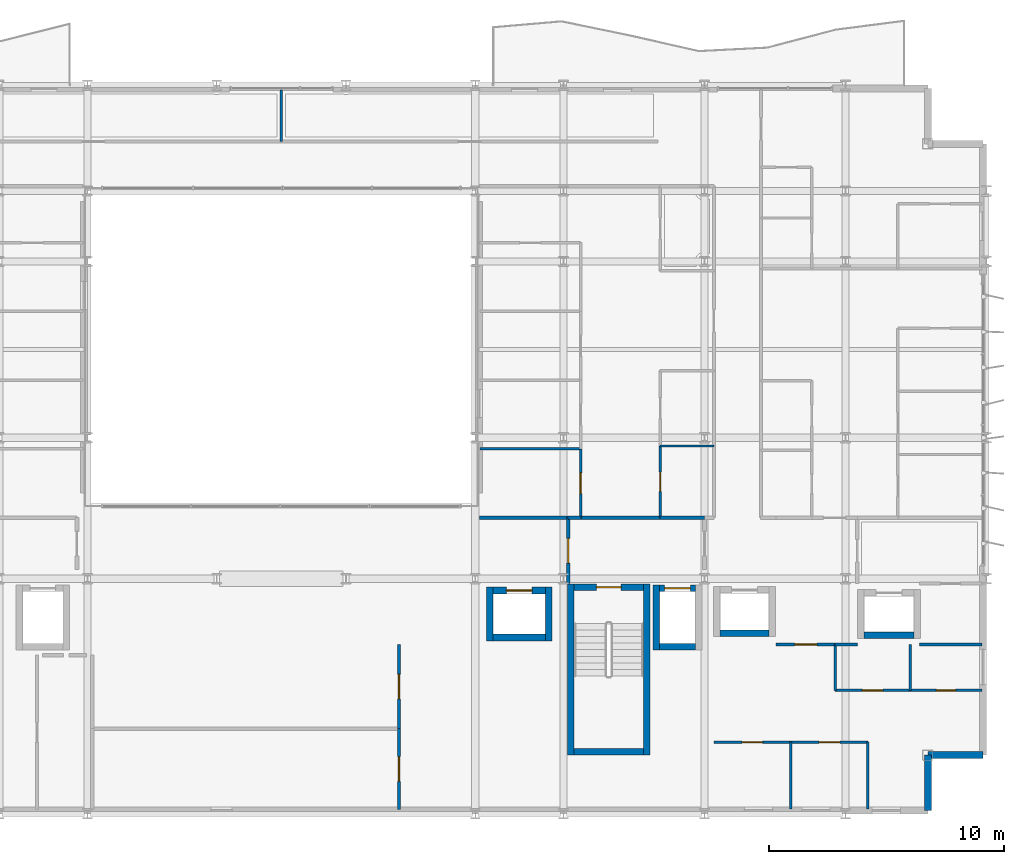
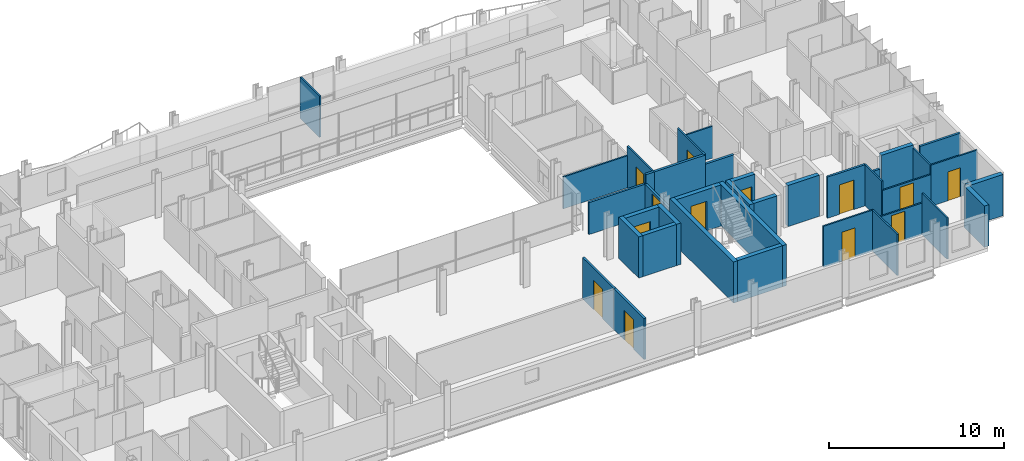
# One storey, part 30 of 38: 38 walls, 13 doors, 13 openings.
"""IFC4 building model written with IfcOpenShell, lengths in metres."""

from ifc_helpers import new_model, si_unit, direction, frame, frame_2d, origin, place, context, subcontext, project, spatial, rectangle, extrude, material, layer, layer_set, type_object, element, fill, save


model = new_model("IFC4")

# Units and contexts
model_context = context("Model", 3, precision=1e-05, world=origin(), true_north=direction((0.0, 1.0)))
body_context = subcontext(model_context, "Body", "Model", "MODEL_VIEW")
ifc_project = project(units=[si_unit("LENGTHUNIT", "METRE"), si_unit("AREAUNIT", "SQUARE_METRE"), si_unit("VOLUMEUNIT", "CUBIC_METRE"), si_unit("PLANEANGLEUNIT", "RADIAN"), si_unit("MASSUNIT", "GRAM", prefix="KILO")], contexts=[model_context])

# Site, building, storey
site_placement = place(None, origin())
site = spatial("IfcSite", under=ifc_project, at=site_placement, CompositionType="ELEMENT")
building_placement = place(site_placement, origin())
building = spatial("IfcBuilding", under=site, at=building_placement, Name="Brevholm Reach", CompositionType="ELEMENT")
storey_placement = place(building_placement, frame((0.0, 0.0, 71.39990234375)))
storey = spatial("IfcBuildingStorey", under=building, at=storey_placement, Name="L20", CompositionType="ELEMENT", Elevation=71.39990234375)

# Walls
ifc_material_1 = material(Name="Concrete C50/60", Category="concrete")
ifc_layer_1 = layer(ifc_material_1, 0.280029296875)
ifc_layer_set_1 = layer_set([ifc_layer_1], Name="Concrete C50/60")
wall_type_1 = type_object("IfcWallType", Name="WAL-COR-280", PredefinedType="SHEAR", material=ifc_layer_set_1)
for number, where, z_axis, x_axis, name in (
    (1, (42.31005859375, 2.5, 0.0), (0.0, 0.0, 1.0), (0.0, 1.0, 0.0), "L20 Escape Stair ST-2 Core Wall W"),
    (2, (45.5400390625, 2.5, 0.0), (0.0, 0.0, 1.0), (0.0, 1.0, 0.0), "L20 Escape Stair ST-2 Core Wall E"),
):
    element("IfcWall", number, at=place(storey_placement, frame(where, z_axis=z_axis, x_axis=x_axis)), inside=storey, type_object=wall_type_1, Name=name, PredefinedType="SHEAR", context=body_context, shape_type="SweptSolid", body=[
        extrude(rectangle(XDim=7.280029296875, YDim=0.280029296875, at=frame_2d((3.64013671875, 0.0))), origin(), (0.0, 0.0, 1.0), 2.8701171875),
    ])
wall_1_placement = place(storey_placement, frame((42.449951171875, 2.639892578125, 0.0), z_axis=(0.0, 0.0, 1.0), x_axis=(1.0, 0.0, 0.0)))
element("IfcWall", 3, at=wall_1_placement, inside=storey, type_object=wall_type_1, Name="L20 Escape Stair ST-2 Core Wall S", PredefinedType="SHEAR", context=body_context, shape_type="SweptSolid", body=[
    extrude(rectangle(XDim=2.949951171875, YDim=0.280029296875, at=frame_2d((1.47509765625, 0.0))), origin(), (0.0, 0.0, 1.0), 2.8701171875),
])

# Wall, opening, door
wall_2_placement = place(storey_placement, frame((45.39990234375, 9.639892578125, 0.0), z_axis=(0.0, 0.0, 1.0), x_axis=(-1.0, 0.0, 0.0)))
wall_2 = element("IfcWall", 4, at=wall_2_placement, inside=storey, type_object=wall_type_1, Name="L20 Escape Stair ST-2 Core Wall N", PredefinedType="SHEAR", context=body_context, shape_type="SweptSolid", body=[
    extrude(rectangle(XDim=2.949951171875, YDim=0.280029296875, at=frame_2d((1.47509765625, 0.0))), origin(), (0.0, 0.0, 1.0), 2.8701171875),
])
opening_1_placement = place(wall_2_placement, frame((0.949951171875, 0.0, 0.0)))
opening_1 = element("IfcOpeningElement", 5, at=opening_1_placement, cuts=wall_2, Name="Opening SD-ST-2", PredefinedType="OPENING", context=body_context, shape_type="SweptSolid", body=[
    extrude(rectangle(XDim=1.050048828125, YDim=2.06005859375, at=frame_2d((0.52490234375, 1.030029296875))), frame((0.0, 0.14990234375, 0.0), z_axis=(0.0, -1.0, 0.0), x_axis=(1.0, 0.0, 0.0)), (0.0, 0.0, 1.0), 0.300048828125),
])
ifc_material_2 = material(Name="Hardwood-Lipped Steel-Core Fire and Smoke Door", Category="steel")
door_type_1 = type_object("IfcDoorType", Name="DOR-INT-FD60S", OperationType="NOTDEFINED", PredefinedType="DOOR", material=ifc_material_2)
door_1_placement = place(opening_1_placement, origin())
door_1 = element("IfcDoor", 6, at=door_1_placement, inside=storey, type_object=door_type_1, Name="L20 Protected Stair ST-2 Lobby Door", OperationType="SINGLE_SWING_LEFT", OverallHeight=2.06005859375, OverallWidth=1.050048828125, PredefinedType="DOOR", context=body_context, shape_type="SweptSolid", body=[
    extrude(rectangle(XDim=1.050048828125, YDim=2.06005859375, at=frame_2d((0.52490234375, 1.030029296875))), frame((0.0, 0.02490234375, 0.0), z_axis=(0.0, -1.0, 0.0), x_axis=(1.0, 0.0, 0.0)), (0.0, 0.0, 1.0), 0.050048828125),
])
fill(opening_1, door_1)

# Walls
wall_3_placement = place(storey_placement, frame((45.949951171875, 6.9599609375, 0.0), z_axis=(0.0, 0.0, 1.0), x_axis=(0.0, 1.0, 0.0)))
element("IfcWall", 7, at=wall_3_placement, inside=storey, type_object=wall_type_1, Name="L20 Lift FFL-2 Shaft Wall W", PredefinedType="SHEAR", context=body_context, shape_type="SweptSolid", body=[
    extrude(rectangle(XDim=2.780029296875, YDim=0.280029296875, at=frame_2d((1.39013671875, 0.0))), origin(), (0.0, 0.0, 1.0), 2.8701171875),
])
wall_4_placement = place(storey_placement, frame((46.090087890625, 7.10009765625, 0.0), z_axis=(0.0, 0.0, 1.0), x_axis=(1.0, 0.0, 0.0)))
element("IfcWall", 8, at=wall_4_placement, inside=storey, type_object=wall_type_1, Name="L20 Lift FFL-2 Shaft Wall S", PredefinedType="SHEAR", context=body_context, shape_type="SweptSolid", body=[
    extrude(rectangle(XDim=1.52001953125, YDim=0.280029296875, at=frame_2d((0.760009765625, 0.0))), origin(), (0.0, 0.0, 1.0), 2.8701171875),
])

# Wall, opening, door
wall_5_placement = place(storey_placement, frame((46.090087890625, 9.60009765625, 0.0), z_axis=(0.0, 0.0, 1.0), x_axis=(1.0, 0.0, 0.0)))
wall_5 = element("IfcWall", 9, at=wall_5_placement, inside=storey, type_object=wall_type_1, Name="L20 Lift FFL-2 Shaft Wall N", PredefinedType="SHEAR", context=body_context, shape_type="SweptSolid", body=[
    extrude(rectangle(XDim=1.52001953125, YDim=0.280029296875, at=frame_2d((0.760009765625, 0.0))), origin(), (0.0, 0.0, 1.0), 2.8701171875),
])
opening_2_placement = place(wall_5_placement, frame((0.2099609375, 0.0, 0.0)))
opening_2 = element("IfcOpeningElement", 10, at=opening_2_placement, cuts=wall_5, Name="Opening LD-FFL-2", PredefinedType="OPENING", context=body_context, shape_type="SweptSolid", body=[
    extrude(rectangle(XDim=1.10009765625, YDim=2.06005859375, at=frame_2d((0.550048828125, 1.030029296875))), frame((0.0, 0.14990234375, 0.0), z_axis=(0.0, -1.0, 0.0), x_axis=(1.0, 0.0, 0.0)), (0.0, 0.0, 1.0), 0.300048828125),
])
ifc_material_3 = material(Name="Brushed Stainless Steel Fire-Rated Sliding Lift Door", Category="steel")
door_type_2 = type_object("IfcDoorType", Name="DOR-LFT-1100", OperationType="NOTDEFINED", PredefinedType="DOOR", material=ifc_material_3)
door_2_placement = place(opening_2_placement, origin())
door_2 = element("IfcDoor", 11, at=door_2_placement, inside=storey, type_object=door_type_2, Name="L20 Lift FFL-2 Sliding Landing Door", OperationType="SLIDING_TO_LEFT", OverallHeight=2.06005859375, OverallWidth=1.10009765625, PredefinedType="DOOR", context=body_context, shape_type="SweptSolid", body=[
    extrude(rectangle(XDim=1.10009765625, YDim=2.06005859375, at=frame_2d((0.550048828125, 1.030029296875))), frame((0.0, 0.02490234375, 0.0), z_axis=(0.0, -1.0, 0.0), x_axis=(1.0, 0.0, 0.0)), (0.0, 0.0, 1.0), 0.050048828125),
])
fill(opening_2, door_2)

# Walls
wall_6_placement = place(storey_placement, frame((48.6650390625, 7.675048828125, 0.0), z_axis=(0.0, 0.0, 1.0), x_axis=(1.0, 0.0, 0.0)))
element("IfcWall", 12, at=wall_6_placement, inside=storey, type_object=wall_type_1, Name="L20 Lift PL-L1 Shaft Wall S", PredefinedType="SHEAR", context=body_context, shape_type="SweptSolid", body=[
    extrude(rectangle(XDim=2.070068359375, YDim=0.280029296875, at=frame_2d((1.03515625, 0.0))), origin(), (0.0, 0.0, 1.0), 2.8701171875),
])
wall_7_placement = place(storey_placement, frame((54.7900390625, 7.60009765625, 0.0), z_axis=(0.0, 0.0, 1.0), x_axis=(1.0, 0.0, 0.0)))
element("IfcWall", 13, at=wall_7_placement, inside=storey, type_object=wall_type_1, Name="L20 Lift PL-L2 Shaft Wall S", PredefinedType="SHEAR", context=body_context, shape_type="SweptSolid", body=[
    extrude(rectangle(XDim=2.119873046875, YDim=0.280029296875, at=frame_2d((1.06005859375, 0.0))), origin(), (0.0, 0.0, 1.0), 2.8701171875),
])
for number, where, z_axis, x_axis, name in (
    (14, (38.8701171875, 7.360107421875, 0.0), (0.0, 0.0, 1.0), (0.0, 1.0, 0.0), "L20 Lift PL-S1 Shaft Wall W"),
    (15, (41.3701171875, 7.360107421875, 0.0), (0.0, 0.0, 1.0), (0.0, 1.0, 0.0), "L20 Lift PL-S1 Shaft Wall E"),
):
    element("IfcWall", number, at=place(storey_placement, frame(where, z_axis=z_axis, x_axis=x_axis)), inside=storey, type_object=wall_type_1, Name=name, PredefinedType="SHEAR", context=body_context, shape_type="SweptSolid", body=[
        extrude(rectangle(XDim=2.27978515625, YDim=0.280029296875, at=frame_2d((1.139892578125, 0.0))), origin(), (0.0, 0.0, 1.0), 2.8701171875),
    ])
wall_8_placement = place(storey_placement, frame((39.010009765625, 7.5, 0.0), z_axis=(0.0, 0.0, 1.0), x_axis=(1.0, 0.0, 0.0)))
element("IfcWall", 16, at=wall_8_placement, inside=storey, type_object=wall_type_1, Name="L20 Lift PL-S1 Shaft Wall S", PredefinedType="SHEAR", context=body_context, shape_type="SweptSolid", body=[
    extrude(rectangle(XDim=2.219970703125, YDim=0.280029296875, at=frame_2d((1.10986328125, 0.0))), origin(), (0.0, 0.0, 1.0), 2.8701171875),
])

# Wall, opening, door
wall_9_placement = place(storey_placement, frame((39.010009765625, 9.5, 0.0), z_axis=(0.0, 0.0, 1.0), x_axis=(1.0, 0.0, 0.0)))
wall_9 = element("IfcWall", 17, at=wall_9_placement, inside=storey, type_object=wall_type_1, Name="L20 Lift PL-S1 Shaft Wall N", PredefinedType="SHEAR", context=body_context, shape_type="SweptSolid", body=[
    extrude(rectangle(XDim=2.219970703125, YDim=0.280029296875, at=frame_2d((1.10986328125, 0.0))), origin(), (0.0, 0.0, 1.0), 2.8701171875),
])
opening_3_placement = place(wall_9_placement, frame((0.56005859375, 0.0, 0.0)))
opening_3 = element("IfcOpeningElement", 18, at=opening_3_placement, cuts=wall_9, Name="Opening LD-PL-S1", PredefinedType="OPENING", context=body_context, shape_type="SweptSolid", body=[
    extrude(rectangle(XDim=1.10009765625, YDim=2.06005859375, at=frame_2d((0.550048828125, 1.030029296875))), frame((0.0, 0.14990234375, 0.0), z_axis=(0.0, -1.0, 0.0), x_axis=(1.0, 0.0, 0.0)), (0.0, 0.0, 1.0), 0.300048828125),
])
door_3_placement = place(opening_3_placement, origin())
door_3 = element("IfcDoor", 19, at=door_3_placement, inside=storey, type_object=door_type_2, Name="L20 Lift PL-S1 Sliding Landing Door", OperationType="SLIDING_TO_RIGHT", OverallHeight=2.06005859375, OverallWidth=1.10009765625, PredefinedType="DOOR", context=body_context, shape_type="SweptSolid", body=[
    extrude(rectangle(XDim=1.10009765625, YDim=2.06005859375, at=frame_2d((0.550048828125, 1.030029296875))), frame((0.0, 0.02490234375, 0.0), z_axis=(0.0, -1.0, 0.0), x_axis=(1.0, 0.0, 0.0)), (0.0, 0.0, 1.0), 0.050048828125),
])
fill(opening_3, door_3)

# Walls
ifc_material_4 = material(Name="Concrete C40/50", Category="concrete")
ifc_layer_2 = layer(ifc_material_4, 0.300048828125)
ifc_layer_set_2 = layer_set([ifc_layer_2], Name="Concrete C40/50")
wall_type_2 = type_object("IfcWallType", Name="WAL-EXT-300", PredefinedType="STANDARD", material=ifc_layer_set_2)
for number, where, z_axis, x_axis, name in (
    (20, (57.5, 0.14990234375, 0.0), (0.0, 0.0, 1.0), (0.0, 1.0, 0.0), "L20 Facade Wall WAL-L20-CSE1"),
    (21, (57.5, 2.5, 0.0), (0.0, 0.0, 1.0), (1.0, 0.0, 0.0), "L20 Facade Wall WAL-L20-CSE2"),
):
    element("IfcWall", number, at=place(storey_placement, frame(where, z_axis=z_axis, x_axis=x_axis)), inside=storey, type_object=wall_type_2, Name=name, PredefinedType="STANDARD", context=body_context, shape_type="SweptSolid", body=[
        extrude(rectangle(XDim=2.35009765625, YDim=0.300048828125, at=frame_2d((1.175048828125, 0.0))), origin(), (0.0, 0.0, 1.0), 2.8701171875),
    ])
ifc_material_5 = material(Name="Moisture-Resistant Acoustic Gypsum Stud Partition 100 mm", Category="gypsum")
ifc_layer_3 = layer(ifc_material_5, 0.10009765625)
ifc_layer_set_3 = layer_set([ifc_layer_3], Name="Moisture-Resistant Acoustic Gypsum Stud Partition 100 mm")
wall_type_3 = type_object("IfcWallType", Name="WAL-PRT-100", PredefinedType="PARTITIONING", material=ifc_layer_set_3)
wall_10_placement = place(storey_placement, frame((56.75, 5.25, 0.0), z_axis=(0.0, 0.0, 1.0), x_axis=(0.0, 1.0, 0.0)))
element("IfcWall", 22, at=wall_10_placement, inside=storey, type_object=wall_type_3, Name="L20 Internal Partition 079", PredefinedType="PARTITIONING", context=body_context, shape_type="SweptSolid", body=[
    extrude(rectangle(XDim=1.949951171875, YDim=0.10009765625, at=frame_2d((0.97509765625, 0.0))), origin(), (0.0, 0.0, 1.0), 2.8701171875),
])

# Wall, opening, door
wall_11_placement = place(storey_placement, frame((56.75, 5.25, 0.0), z_axis=(0.0, 0.0, 1.0), x_axis=(1.0, 0.0, 0.0)))
wall_11 = element("IfcWall", 23, at=wall_11_placement, inside=storey, type_object=wall_type_3, Name="L20 Internal Partition 080", PredefinedType="PARTITIONING", context=body_context, shape_type="SweptSolid", body=[
    extrude(rectangle(XDim=3.050048828125, YDim=0.10009765625, at=frame_2d((1.52490234375, 0.0))), origin(), (0.0, 0.0, 1.0), 2.8701171875),
])
opening_4_placement = place(wall_11_placement, frame((1.114990234375, 0.0, 0.0)))
opening_4 = element("IfcOpeningElement", 24, at=opening_4_placement, cuts=wall_11, Name="Opening ID-03", PredefinedType="OPENING", context=body_context, shape_type="SweptSolid", body=[
    extrude(rectangle(XDim=0.820068359375, YDim=2.02001953125, at=frame_2d((0.41015625, 1.010009765625))), frame((0.0, 0.06005859375, 0.0), z_axis=(0.0, -1.0, 0.0), x_axis=(1.0, 0.0, 0.0)), (0.0, 0.0, 1.0), 0.1201171875),
])
ifc_material_6 = material(Name="Moisture-Resistant Painted Timber Internal Bathroom Door", Category="wood")
door_type_3 = type_object("IfcDoorType", Name="DOR-BATH-820", OperationType="NOTDEFINED", PredefinedType="DOOR", material=ifc_material_6)
door_4_placement = place(opening_4_placement, origin())
door_4 = element("IfcDoor", 25, at=door_4_placement, inside=storey, type_object=door_type_3, Name="L20 Internal Door 026", OperationType="SINGLE_SWING_LEFT", OverallHeight=2.02001953125, OverallWidth=0.820068359375, PredefinedType="DOOR", context=body_context, shape_type="SweptSolid", body=[
    extrude(rectangle(XDim=0.820068359375, YDim=2.02001953125, at=frame_2d((0.41015625, 1.010009765625))), frame((0.0, 0.02490234375, 0.0), z_axis=(0.0, -1.0, 0.0), x_axis=(1.0, 0.0, 0.0)), (0.0, 0.0, 1.0), 0.050048828125),
])
fill(opening_4, door_4)

wall_12_placement = place(storey_placement, frame((53.55810546875, 5.25, 0.0), z_axis=(0.0, 0.0, 1.0), x_axis=(1.0, 0.0, 0.0)))
wall_12 = element("IfcWall", 26, at=wall_12_placement, inside=storey, type_object=wall_type_3, Name="L20 Internal Partition 081", PredefinedType="PARTITIONING", context=body_context, shape_type="SweptSolid", body=[
    extrude(rectangle(XDim=3.18798828125, YDim=0.10009765625, at=frame_2d((1.593994140625, 0.0))), origin(), (0.0, 0.0, 1.0), 2.224853515625),
])
opening_5_placement = place(wall_12_placement, frame((1.154052734375, 0.0, 0.0)))
opening_5 = element("IfcOpeningElement", 27, at=opening_5_placement, cuts=wall_12, Name="Opening ID-01", PredefinedType="OPENING", context=body_context, shape_type="SweptSolid", body=[
    extrude(rectangle(XDim=0.8798828125, YDim=2.0400390625, at=frame_2d((0.43994140625, 1.02001953125))), frame((0.0, 0.06005859375, 0.0), z_axis=(0.0, -1.0, 0.0), x_axis=(1.0, 0.0, 0.0)), (0.0, 0.0, 1.0), 0.1201171875),
])
ifc_material_7 = material(Name="Lacquered Ash Solid-Core Acoustic Internal Door", Category="timber")
door_type_4 = type_object("IfcDoorType", Name="DOR-INT-880", OperationType="NOTDEFINED", PredefinedType="DOOR", material=ifc_material_7)
door_5_placement = place(opening_5_placement, origin())
door_5 = element("IfcDoor", 28, at=door_5_placement, inside=storey, type_object=door_type_4, Name="L20 Internal Door 027", OperationType="SINGLE_SWING_RIGHT", OverallHeight=2.0400390625, OverallWidth=0.8798828125, PredefinedType="DOOR", context=body_context, shape_type="SweptSolid", body=[
    extrude(rectangle(XDim=0.8798828125, YDim=2.0400390625, at=frame_2d((0.43994140625, 1.02001953125))), frame((0.0, 0.02490234375, 0.0), z_axis=(0.0, -1.0, 0.0), x_axis=(1.0, 0.0, 0.0)), (0.0, 0.0, 1.0), 0.050048828125),
])
fill(opening_5, door_5)

# Walls
wall_13_placement = place(storey_placement, frame((53.55810546875, 5.25, 0.0), z_axis=(0.0, 0.0, 1.0), x_axis=(0.0, 1.0, 0.0)))
element("IfcWall", 29, at=wall_13_placement, inside=storey, type_object=wall_type_3, Name="L20 Internal Partition 082", PredefinedType="PARTITIONING", context=body_context, shape_type="SweptSolid", body=[
    extrude(rectangle(XDim=1.946044921875, YDim=0.10009765625, at=frame_2d((0.97314453125, 0.0))), origin(), (0.0, 0.0, 1.0), 2.8701171875),
])
wall_14_placement = place(storey_placement, frame((51.675048828125, 0.199951171875, 0.0), z_axis=(0.0, 0.0, 1.0), x_axis=(0.0, 1.0, 0.0)))
element("IfcWall", 30, at=wall_14_placement, inside=storey, type_object=wall_type_3, Name="L20 Internal Partition 083", PredefinedType="PARTITIONING", context=body_context, shape_type="SweptSolid", body=[
    extrude(rectangle(XDim=2.85009765625, YDim=0.10009765625, at=frame_2d((1.425048828125, 0.0))), origin(), (0.0, 0.0, 1.0), 2.8701171875),
])

# Wall, opening, door
wall_15_placement = place(storey_placement, frame((48.39990234375, 3.050048828125, 0.0), z_axis=(0.0, 0.0, 1.0), x_axis=(1.0, 0.0, 0.0)))
wall_15 = element("IfcWall", 31, at=wall_15_placement, inside=storey, type_object=wall_type_3, Name="L20 Internal Partition 084", PredefinedType="PARTITIONING", context=body_context, shape_type="SweptSolid", body=[
    extrude(rectangle(XDim=3.275146484375, YDim=0.10009765625, at=frame_2d((1.6376953125, 0.0))), origin(), (0.0, 0.0, 1.0), 2.8701171875),
])
opening_6_placement = place(wall_15_placement, frame((1.197509765625, 0.0, 0.0)))
opening_6 = element("IfcOpeningElement", 32, at=opening_6_placement, cuts=wall_15, Name="Opening ID-01", PredefinedType="OPENING", context=body_context, shape_type="SweptSolid", body=[
    extrude(rectangle(XDim=0.8798828125, YDim=2.0400390625, at=frame_2d((0.43994140625, 1.02001953125))), frame((0.0, 0.06005859375, 0.0), z_axis=(0.0, -1.0, 0.0), x_axis=(1.0, 0.0, 0.0)), (0.0, 0.0, 1.0), 0.1201171875),
])
door_6_placement = place(opening_6_placement, origin())
door_6 = element("IfcDoor", 33, at=door_6_placement, inside=storey, type_object=door_type_4, Name="L20 Internal Door 028", OperationType="SINGLE_SWING_LEFT", OverallHeight=2.0400390625, OverallWidth=0.8798828125, PredefinedType="DOOR", context=body_context, shape_type="SweptSolid", body=[
    extrude(rectangle(XDim=0.8798828125, YDim=2.0400390625, at=frame_2d((0.43994140625, 1.02001953125))), frame((0.0, 0.02490234375, 0.0), z_axis=(0.0, -1.0, 0.0), x_axis=(1.0, 0.0, 0.0)), (0.0, 0.0, 1.0), 0.050048828125),
])
fill(opening_6, door_6)

# Wall
wall_16_placement = place(storey_placement, frame((54.949951171875, 0.199951171875, 0.0), z_axis=(0.0, 0.0, 1.0), x_axis=(0.0, 1.0, 0.0)))
element("IfcWall", 34, at=wall_16_placement, inside=storey, type_object=wall_type_3, Name="L20 Internal Partition 085", PredefinedType="PARTITIONING", context=body_context, shape_type="SweptSolid", body=[
    extrude(rectangle(XDim=2.85009765625, YDim=0.10009765625, at=frame_2d((1.425048828125, 0.0))), origin(), (0.0, 0.0, 1.0), 2.8701171875),
])

# Wall, opening, door
wall_17_placement = place(storey_placement, frame((51.678955078125, 3.050048828125, 0.0), z_axis=(0.0, 0.0, 1.0), x_axis=(1.0, 0.0, 0.0)))
wall_17 = element("IfcWall", 35, at=wall_17_placement, inside=storey, type_object=wall_type_3, Name="L20 Internal Partition 086", PredefinedType="PARTITIONING", context=body_context, shape_type="SweptSolid", body=[
    extrude(rectangle(XDim=3.27099609375, YDim=0.10009765625, at=frame_2d((1.635498046875, 0.0))), origin(), (0.0, 0.0, 1.0), 2.224853515625),
])
opening_7_placement = place(wall_17_placement, frame((1.195556640625, 0.0, 0.0)))
opening_7 = element("IfcOpeningElement", 36, at=opening_7_placement, cuts=wall_17, Name="Opening ID-01", PredefinedType="OPENING", context=body_context, shape_type="SweptSolid", body=[
    extrude(rectangle(XDim=0.8798828125, YDim=2.0400390625, at=frame_2d((0.43994140625, 1.02001953125))), frame((0.0, 0.06005859375, 0.0), z_axis=(0.0, -1.0, 0.0), x_axis=(1.0, 0.0, 0.0)), (0.0, 0.0, 1.0), 0.1201171875),
])
door_7_placement = place(opening_7_placement, origin())
door_7 = element("IfcDoor", 37, at=door_7_placement, inside=storey, type_object=door_type_4, Name="L20 Internal Door 029", OperationType="SINGLE_SWING_RIGHT", OverallHeight=2.0400390625, OverallWidth=0.8798828125, PredefinedType="DOOR", context=body_context, shape_type="SweptSolid", body=[
    extrude(rectangle(XDim=0.8798828125, YDim=2.0400390625, at=frame_2d((0.43994140625, 1.02001953125))), frame((0.0, 0.02490234375, 0.0), z_axis=(0.0, -1.0, 0.0), x_axis=(1.0, 0.0, 0.0)), (0.0, 0.0, 1.0), 0.050048828125),
])
fill(opening_7, door_7)

# Wall
wall_18_placement = place(storey_placement, frame((46.112060546875, 15.64990234375, 0.0), z_axis=(0.0, 0.0, 1.0), x_axis=(1.0, 0.0, 0.0)))
element("IfcWall", 38, at=wall_18_placement, inside=storey, type_object=wall_type_3, Name="L20 Internal Partition 120", PredefinedType="PARTITIONING", context=body_context, shape_type="SweptSolid", body=[
    extrude(rectangle(XDim=2.283935546875, YDim=0.10009765625, at=frame_2d((1.14208984375, 0.0))), origin(), (0.0, 0.0, 1.0), 2.224853515625),
])

# Wall, opening, door
wall_19_placement = place(storey_placement, frame((46.112060546875, 12.60400390625, 0.0), z_axis=(0.0, 0.0, 1.0), x_axis=(0.0, 1.0, 0.0)))
wall_19 = element("IfcWall", 39, at=wall_19_placement, inside=storey, type_object=wall_type_3, Name="L20 Internal Partition 121", PredefinedType="PARTITIONING", context=body_context, shape_type="SweptSolid", body=[
    extrude(rectangle(XDim=3.0458984375, YDim=0.10009765625, at=frame_2d((1.52294921875, 0.0))), origin(), (0.0, 0.0, 1.0), 2.8701171875),
])
opening_8_placement = place(wall_19_placement, frame((1.113037109375, 0.0, 0.0)))
opening_8 = element("IfcOpeningElement", 40, at=opening_8_placement, cuts=wall_19, Name="Opening ID-03", PredefinedType="OPENING", context=body_context, shape_type="SweptSolid", body=[
    extrude(rectangle(XDim=0.820068359375, YDim=2.02001953125, at=frame_2d((0.41015625, 1.010009765625))), frame((0.0, 0.06005859375, 0.0), z_axis=(0.0, -1.0, 0.0), x_axis=(1.0, 0.0, 0.0)), (0.0, 0.0, 1.0), 0.1201171875),
])
door_8_placement = place(opening_8_placement, origin())
door_8 = element("IfcDoor", 41, at=door_8_placement, inside=storey, type_object=door_type_3, Name="L20 Internal Door 045", OperationType="SINGLE_SWING_RIGHT", OverallHeight=2.02001953125, OverallWidth=0.820068359375, PredefinedType="DOOR", context=body_context, shape_type="SweptSolid", body=[
    extrude(rectangle(XDim=0.820068359375, YDim=2.02001953125, at=frame_2d((0.41015625, 1.010009765625))), frame((0.0, 0.02490234375, 0.0), z_axis=(0.0, -1.0, 0.0), x_axis=(1.0, 0.0, 0.0)), (0.0, 0.0, 1.0), 0.050048828125),
])
fill(opening_8, door_8)

# Wall
wall_20_placement = place(storey_placement, frame((38.449951171875, 15.52490234375, 0.0), z_axis=(0.0, 0.0, 1.0), x_axis=(1.0, 0.0, 0.0)))
element("IfcWall", 42, at=wall_20_placement, inside=storey, type_object=wall_type_3, Name="L20 Internal Partition 126", PredefinedType="PARTITIONING", context=body_context, shape_type="SweptSolid", body=[
    extrude(rectangle(XDim=4.278076171875, YDim=0.10009765625, at=frame_2d((2.13916015625, 0.0))), origin(), (0.0, 0.0, 1.0), 2.224853515625),
])

# Wall, opening, door
wall_21_placement = place(storey_placement, frame((42.72802734375, 12.60400390625, 0.0), z_axis=(0.0, 0.0, 1.0), x_axis=(0.0, 1.0, 0.0)))
wall_21 = element("IfcWall", 43, at=wall_21_placement, inside=storey, type_object=wall_type_3, Name="L20 Internal Partition 127", PredefinedType="PARTITIONING", context=body_context, shape_type="SweptSolid", body=[
    extrude(rectangle(XDim=2.9208984375, YDim=0.10009765625, at=frame_2d((1.46044921875, 0.0))), origin(), (0.0, 0.0, 1.0), 2.8701171875),
])
opening_9_placement = place(wall_21_placement, frame((1.0205078125, 0.0, 0.0)))
opening_9 = element("IfcOpeningElement", 44, at=opening_9_placement, cuts=wall_21, Name="Opening ID-01", PredefinedType="OPENING", context=body_context, shape_type="SweptSolid", body=[
    extrude(rectangle(XDim=0.8798828125, YDim=2.0400390625, at=frame_2d((0.43994140625, 1.02001953125))), frame((0.0, 0.06005859375, 0.0), z_axis=(0.0, -1.0, 0.0), x_axis=(1.0, 0.0, 0.0)), (0.0, 0.0, 1.0), 0.1201171875),
])
door_9_placement = place(opening_9_placement, origin())
door_9 = element("IfcDoor", 45, at=door_9_placement, inside=storey, type_object=door_type_4, Name="L20 Internal Door 048", OperationType="SINGLE_SWING_LEFT", OverallHeight=2.0400390625, OverallWidth=0.8798828125, PredefinedType="DOOR", context=body_context, shape_type="SweptSolid", body=[
    extrude(rectangle(XDim=0.8798828125, YDim=2.0400390625, at=frame_2d((0.43994140625, 1.02001953125))), frame((0.0, 0.02490234375, 0.0), z_axis=(0.0, -1.0, 0.0), x_axis=(1.0, 0.0, 0.0)), (0.0, 0.0, 1.0), 0.050048828125),
])
fill(opening_9, door_9)

# Wall
wall_22_placement = place(storey_placement, frame((30.0, 28.60400390625, 0.0), z_axis=(0.0, 0.0, 1.0), x_axis=(0.0, 1.0, 0.0)))
element("IfcWall", 46, at=wall_22_placement, inside=storey, type_object=wall_type_3, Name="L20 Internal Partition 153", PredefinedType="PARTITIONING", context=body_context, shape_type="SweptSolid", body=[
    extrude(rectangle(XDim=2.196044921875, YDim=0.10009765625, at=frame_2d((1.09814453125, 0.0))), origin(), (0.0, 0.0, 1.0), 2.8701171875),
])

# Wall, opening, door
ifc_material_8 = material(Name="Twin-Stud Acoustic Fire-Rated Gypsum Partition 140 mm", Category="gypsum")
ifc_layer_4 = layer(ifc_material_8, 0.139892578125)
ifc_layer_set_4 = layer_set([ifc_layer_4], Name="Twin-Stud Acoustic Fire-Rated Gypsum Partition 140 mm")
wall_type_4 = type_object("IfcWallType", Name="WAL-PRT-140", PredefinedType="PARTITIONING", material=ifc_layer_set_4)
wall_23_placement = place(storey_placement, frame((35.0, 0.179931640625, 0.0), z_axis=(0.0, 0.0, 1.0), x_axis=(0.0, 1.0, 0.0)))
wall_23 = element("IfcWall", 47, at=wall_23_placement, inside=storey, type_object=wall_type_4, Name="L20 Internal Partition 001", PredefinedType="PARTITIONING", context=body_context, shape_type="SweptSolid", body=[
    extrude(rectangle(XDim=3.451416015625, YDim=0.139892578125, at=frame_2d((1.7255859375, 0.0))), origin(), (0.0, 0.0, 1.0), 2.8701171875),
])
opening_10_placement = place(wall_23_placement, frame((1.20068359375, 0.0, 0.0)))
opening_10 = element("IfcOpeningElement", 48, at=opening_10_placement, cuts=wall_23, Name="Opening FD-01", PredefinedType="OPENING", context=body_context, shape_type="SweptSolid", body=[
    extrude(rectangle(XDim=1.050048828125, YDim=2.06005859375, at=frame_2d((0.52490234375, 1.030029296875))), frame((0.0, 0.079833984375, 0.0), z_axis=(0.0, -1.0, 0.0), x_axis=(1.0, 0.0, 0.0)), (0.0, 0.0, 1.0), 0.159912109375),
])
door_10_placement = place(opening_10_placement, origin())
door_10 = element("IfcDoor", 49, at=door_10_placement, inside=storey, type_object=door_type_1, Name="L20 Internal Door 001", OperationType="SINGLE_SWING_RIGHT", OverallHeight=2.06005859375, OverallWidth=1.050048828125, PredefinedType="DOOR", context=body_context, shape_type="SweptSolid", body=[
    extrude(rectangle(XDim=1.050048828125, YDim=2.06005859375, at=frame_2d((0.52490234375, 1.030029296875))), frame((0.0, 0.02490234375, 0.0), z_axis=(0.0, -1.0, 0.0), x_axis=(1.0, 0.0, 0.0)), (0.0, 0.0, 1.0), 0.050048828125),
])
fill(opening_10, door_10)

wall_24_placement = place(storey_placement, frame((35.0, 3.61279296875, 0.0), z_axis=(0.0, 0.0, 1.0), x_axis=(0.0, 1.0, 0.0)))
wall_24 = element("IfcWall", 50, at=wall_24_placement, inside=storey, type_object=wall_type_4, Name="L20 Internal Partition 002", PredefinedType="PARTITIONING", context=body_context, shape_type="SweptSolid", body=[
    extrude(rectangle(XDim=3.598388671875, YDim=0.139892578125, at=frame_2d((1.79931640625, 0.0))), origin(), (0.0, 0.0, 1.0), 2.8701171875),
])
opening_11_placement = place(wall_24_placement, frame((1.2744140625, 0.0, 0.0)))
opening_11 = element("IfcOpeningElement", 51, at=opening_11_placement, cuts=wall_24, Name="Opening FD-01", PredefinedType="OPENING", context=body_context, shape_type="SweptSolid", body=[
    extrude(rectangle(XDim=1.050048828125, YDim=2.06005859375, at=frame_2d((0.52490234375, 1.030029296875))), frame((0.0, 0.079833984375, 0.0), z_axis=(0.0, -1.0, 0.0), x_axis=(1.0, 0.0, 0.0)), (0.0, 0.0, 1.0), 0.159912109375),
])
door_11_placement = place(opening_11_placement, origin())
door_11 = element("IfcDoor", 52, at=door_11_placement, inside=storey, type_object=door_type_1, Name="L20 Internal Door 002", OperationType="SINGLE_SWING_LEFT", OverallHeight=2.06005859375, OverallWidth=1.050048828125, PredefinedType="DOOR", context=body_context, shape_type="SweptSolid", body=[
    extrude(rectangle(XDim=1.050048828125, YDim=2.06005859375, at=frame_2d((0.52490234375, 1.030029296875))), frame((0.0, 0.02490234375, 0.0), z_axis=(0.0, -1.0, 0.0), x_axis=(1.0, 0.0, 0.0)), (0.0, 0.0, 1.0), 0.050048828125),
])
fill(opening_11, door_11)

# Wall
wall_25_placement = place(storey_placement, frame((53.546630859375, 7.199951171875, 0.0), z_axis=(0.0, 0.0, 1.0), x_axis=(1.0, 0.0, 0.0)))
element("IfcWall", 53, at=wall_25_placement, inside=storey, type_object=wall_type_4, Name="L20 Internal Partition 010", PredefinedType="PARTITIONING", context=body_context, shape_type="SweptSolid", body=[
    extrude(rectangle(XDim=0.953369140625, YDim=0.139892578125, at=frame_2d((0.4765625, 0.0))), origin(), (0.0, 0.0, 1.0), 2.224853515625),
])

# Wall, opening, door
wall_26_placement = place(storey_placement, frame((51.050048828125, 7.199951171875, 0.0), z_axis=(0.0, 0.0, 1.0), x_axis=(1.0, 0.0, 0.0)))
wall_26 = element("IfcWall", 54, at=wall_26_placement, inside=storey, type_object=wall_type_4, Name="L20 Internal Partition 011", PredefinedType="PARTITIONING", context=body_context, shape_type="SweptSolid", body=[
    extrude(rectangle(XDim=2.51513671875, YDim=0.139892578125, at=frame_2d((1.257568359375, 0.0))), origin(), (0.0, 0.0, 1.0), 2.8701171875),
])
opening_12_placement = place(wall_26_placement, frame((0.78271484375, 0.0, 0.0)))
opening_12 = element("IfcOpeningElement", 55, at=opening_12_placement, cuts=wall_26, Name="Opening ID-30", PredefinedType="OPENING", context=body_context, shape_type="SweptSolid", body=[
    extrude(rectangle(XDim=0.949951171875, YDim=2.050048828125, at=frame_2d((0.47509765625, 1.02490234375))), frame((0.0, 0.079833984375, 0.0), z_axis=(0.0, -1.0, 0.0), x_axis=(1.0, 0.0, 0.0)), (0.0, 0.0, 1.0), 0.159912109375),
])
ifc_material_9 = material(Name="European Oak Veneered Solid-Core Fire Entrance Door", Category="timber")
door_type_5 = type_object("IfcDoorType", Name="DOR-FLT-FD30S", OperationType="NOTDEFINED", PredefinedType="DOOR", material=ifc_material_9)
door_12_placement = place(opening_12_placement, origin())
door_12 = element("IfcDoor", 56, at=door_12_placement, inside=storey, type_object=door_type_5, Name="L20 Internal Door 006", OperationType="SINGLE_SWING_LEFT", OverallHeight=2.050048828125, OverallWidth=0.949951171875, PredefinedType="DOOR", context=body_context, shape_type="SweptSolid", body=[
    extrude(rectangle(XDim=0.949951171875, YDim=2.050048828125, at=frame_2d((0.47509765625, 1.02490234375))), frame((0.0, 0.02490234375, 0.0), z_axis=(0.0, -1.0, 0.0), x_axis=(1.0, 0.0, 0.0)), (0.0, 0.0, 1.0), 0.050048828125),
])
fill(opening_12, door_12)

# Walls
wall_27_placement = place(storey_placement, frame((38.438720703125, 12.60009765625, 0.0), z_axis=(0.0, 0.0, 1.0), x_axis=(1.0, 0.0, 0.0)))
element("IfcWall", 57, at=wall_27_placement, inside=storey, type_object=wall_type_4, Name="L20 Internal Partition 031", PredefinedType="PARTITIONING", context=body_context, shape_type="SweptSolid", body=[
    extrude(rectangle(XDim=3.75732421875, YDim=0.139892578125, at=frame_2d((1.878662109375, 0.0))), origin(), (0.0, 0.0, 1.0), 2.224853515625),
])
wall_28_placement = place(storey_placement, frame((57.14990234375, 7.199951171875, 0.0), z_axis=(0.0, 0.0, 1.0), x_axis=(1.0, 0.0, 0.0)))
element("IfcWall", 58, at=wall_28_placement, inside=storey, type_object=wall_type_4, Name="L20 Internal Partition 078", PredefinedType="PARTITIONING", context=body_context, shape_type="SweptSolid", body=[
    extrude(rectangle(XDim=2.650146484375, YDim=0.139892578125, at=frame_2d((1.3251953125, 0.0))), origin(), (0.0, 0.0, 1.0), 2.8701171875),
])

# Wall, opening, door
ifc_material_10 = material(Name="Twin-Frame Fire-Rated Gypsum Board and Mineral Wool 160 mm", Category="gypsum")
ifc_layer_5 = layer(ifc_material_10, 0.159912109375)
ifc_layer_set_5 = layer_set([ifc_layer_5], Name="Twin-Frame Fire-Rated Gypsum Board and Mineral Wool 160 mm")
wall_type_5 = type_object("IfcWallType", Name="WAL-PRT-160", PredefinedType="PARTITIONING", material=ifc_layer_set_5)
wall_29_placement = place(storey_placement, frame((42.199951171875, 9.7900390625, 0.0), z_axis=(0.0, 0.0, 1.0), x_axis=(0.0, 1.0, 0.0)))
wall_29 = element("IfcWall", 59, at=wall_29_placement, inside=storey, type_object=wall_type_5, Name="L20 Internal Partition 020", PredefinedType="PARTITIONING", context=body_context, shape_type="SweptSolid", body=[
    extrude(rectangle(XDim=2.81005859375, YDim=0.159912109375, at=frame_2d((1.405029296875, 0.0))), origin(), (0.0, 0.0, 1.0), 2.224853515625),
])
opening_13_placement = place(wall_29_placement, frame((0.8798828125, 0.0, 0.0)))
opening_13 = element("IfcOpeningElement", 60, at=opening_13_placement, cuts=wall_29, Name="Opening FD-01", PredefinedType="OPENING", context=body_context, shape_type="SweptSolid", body=[
    extrude(rectangle(XDim=1.050048828125, YDim=2.06005859375, at=frame_2d((0.52490234375, 1.030029296875))), frame((0.0, 0.08984375, 0.0), z_axis=(0.0, -1.0, 0.0), x_axis=(1.0, 0.0, 0.0)), (0.0, 0.0, 1.0), 0.179931640625),
])
door_13_placement = place(opening_13_placement, origin())
door_13 = element("IfcDoor", 61, at=door_13_placement, inside=storey, type_object=door_type_1, Name="L20 Internal Door 010", OperationType="SINGLE_SWING_LEFT", OverallHeight=2.06005859375, OverallWidth=1.050048828125, PredefinedType="DOOR", context=body_context, shape_type="SweptSolid", body=[
    extrude(rectangle(XDim=1.050048828125, YDim=2.06005859375, at=frame_2d((0.52490234375, 1.030029296875))), frame((0.0, 0.02490234375, 0.0), z_axis=(0.0, -1.0, 0.0), x_axis=(1.0, 0.0, 0.0)), (0.0, 0.0, 1.0), 0.050048828125),
])
fill(opening_13, door_13)

# Walls
wall_30_placement = place(storey_placement, frame((46.1005859375, 12.60009765625, 0.0), z_axis=(0.0, 0.0, 1.0), x_axis=(1.0, 0.0, 0.0)))
element("IfcWall", 62, at=wall_30_placement, inside=storey, type_object=wall_type_5, Name="L20 Internal Partition 022", PredefinedType="PARTITIONING", context=body_context, shape_type="SweptSolid", body=[
    extrude(rectangle(XDim=1.8994140625, YDim=0.159912109375, at=frame_2d((0.94970703125, 0.0))), origin(), (0.0, 0.0, 1.0), 2.224853515625),
])
wall_31_placement = place(storey_placement, frame((42.199951171875, 12.60009765625, 0.0), z_axis=(0.0, 0.0, 1.0), x_axis=(1.0, 0.0, 0.0)))
element("IfcWall", 63, at=wall_31_placement, inside=storey, type_object=wall_type_5, Name="L20 Internal Partition 023", PredefinedType="PARTITIONING", context=body_context, shape_type="SweptSolid", body=[
    extrude(rectangle(XDim=0.539306640625, YDim=0.159912109375, at=frame_2d((0.26953125, 0.0))), origin(), (0.0, 0.0, 1.0), 2.8701171875),
])
wall_32_placement = place(storey_placement, frame((42.720703125, 12.60009765625, 0.0), z_axis=(0.0, 0.0, 1.0), x_axis=(1.0, 0.0, 0.0)))
element("IfcWall", 64, at=wall_32_placement, inside=storey, type_object=wall_type_5, Name="L20 Internal Partition 024", PredefinedType="PARTITIONING", context=body_context, shape_type="SweptSolid", body=[
    extrude(rectangle(XDim=3.398681640625, YDim=0.159912109375, at=frame_2d((1.69921875, 0.0))), origin(), (0.0, 0.0, 1.0), 2.8701171875),
])

save(model, "model.ifc")
